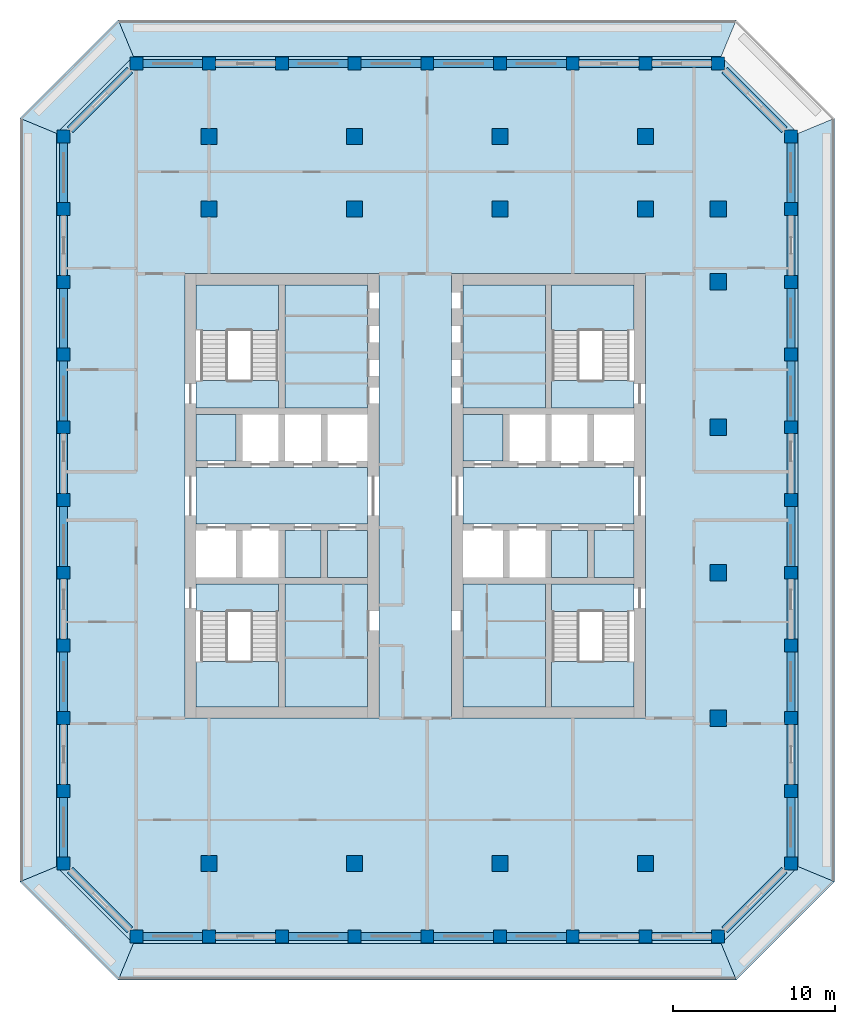
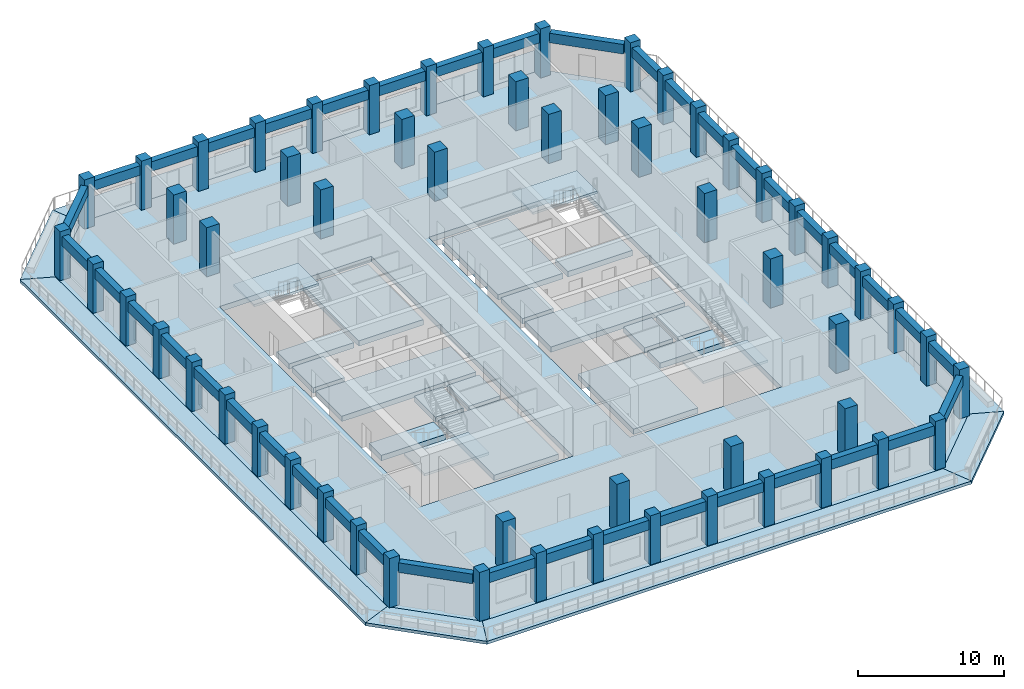
# One storey, part 1 of 17: 57 columns, 40 beams, 28 slabs, 4 elements without a shape of their own.
"""IFC4 building model written with IfcOpenShell, lengths in metres."""

from ifc_helpers import new_model, si_unit, direction, frame, origin, origin_2d, place, context, subcontext, project, spatial, polyline, rectangle, outline, extrude, material, layer, layer_set, material_profile, profile_set, type_object, element, aggregate, save


model = new_model("IFC4")

# Units and contexts
model_context = context("Model", 3, precision=1e-05, world=origin(), true_north=direction((0.0, 1.0)))
body_context = subcontext(model_context, "Body", "Model", "MODEL_VIEW")
ifc_project = project(units=[si_unit("LENGTHUNIT", "METRE"), si_unit("AREAUNIT", "SQUARE_METRE"), si_unit("VOLUMEUNIT", "CUBIC_METRE"), si_unit("PLANEANGLEUNIT", "RADIAN"), si_unit("MASSUNIT", "GRAM", prefix="KILO")], contexts=[model_context])

# Site, building, storey
site_placement = place(None, origin())
site = spatial("IfcSite", under=ifc_project, at=site_placement, CompositionType="ELEMENT")
building_placement = place(site_placement, origin())
building = spatial("IfcBuilding", under=site, at=building_placement, Name="Corbel Stack Research Tower", CompositionType="ELEMENT")
storey_placement = place(building_placement, frame((0.0, 0.0, 235.699951171875)))
storey = spatial("IfcBuildingStorey", under=building, at=storey_placement, Name="L53", CompositionType="ELEMENT", Elevation=235.699951171875)

# Columns
ifc_material_1 = material(Name="Concrete C60/75", Category="concrete")
ifc_material_profile_1 = material_profile(ifc_material_1, rectangle(XDim=1.0, YDim=1.0, at=origin_2d()), Name="RC 1000 x 1000")
ifc_profile_set_1 = profile_set([ifc_material_profile_1], Name="Concrete C60/75")
column_type_1 = type_object("IfcColumnType", Name="C-1000-60", PredefinedType="COLUMN", material=ifc_profile_set_1)
for number, where, z_axis, x_axis, name in (
    (1, (-9.0, -18.0, 0.0), (0.0, 0.0, 1.0), (1.0, 0.0, 0.0), "Column 6/D L53"),
    (2, (-9.0, 22.5, 0.0), (0.0, 0.0, 1.0), (1.0, 0.0, 0.0), "Column 6/N L53"),
    (3, (-9.0, 27.0, 0.0), (0.0, 0.0, 1.0), (1.0, 0.0, 0.0), "Column 6/P L53"),
    (4, (0.0, -18.0, 0.0), (0.0, 0.0, 1.0), (1.0, 0.0, 0.0), "Column 8/D L53"),
    (5, (0.0, 22.5, 0.0), (0.0, 0.0, 1.0), (1.0, 0.0, 0.0), "Column 8/N L53"),
    (6, (0.0, 27.0, 0.0), (0.0, 0.0, 1.0), (1.0, 0.0, 0.0), "Column 8/P L53"),
    (7, (9.0, -18.0, 0.0), (0.0, 0.0, 1.0), (1.0, 0.0, 0.0), "Column 10/D L53"),
    (8, (9.0, 22.5, 0.0), (0.0, 0.0, 1.0), (1.0, 0.0, 0.0), "Column 10/N L53"),
    (9, (9.0, 27.0, 0.0), (0.0, 0.0, 1.0), (1.0, 0.0, 0.0), "Column 10/P L53"),
    (10, (18.0, -18.0, 0.0), (0.0, 0.0, 1.0), (1.0, 0.0, 0.0), "Column 12/D L53"),
    (11, (18.0, 22.5, 0.0), (0.0, 0.0, 1.0), (1.0, 0.0, 0.0), "Column 12/N L53"),
    (12, (18.0, 27.0, 0.0), (0.0, 0.0, 1.0), (1.0, 0.0, 0.0), "Column 12/P L53"),
    (13, (22.5, -9.0, 0.0), (0.0, 0.0, 1.0), (1.0, 0.0, 0.0), "Column 13/F L53"),
    (14, (22.5, 0.0, 0.0), (0.0, 0.0, 1.0), (1.0, 0.0, 0.0), "Column 13/H L53"),
    (15, (22.5, 9.0, 0.0), (0.0, 0.0, 1.0), (1.0, 0.0, 0.0), "Column 13/K L53"),
    (16, (22.5, 18.0, 0.0), (0.0, 0.0, 1.0), (1.0, 0.0, 0.0), "Column 13/M L53"),
    (17, (22.5, 22.5, 0.0), (0.0, 0.0, 1.0), (1.0, 0.0, 0.0), "Column 13/N L53"),
):
    element("IfcColumn", number, at=place(storey_placement, frame(where, z_axis=z_axis, x_axis=x_axis)), inside=storey, type_object=column_type_1, Name=name, PredefinedType="COLUMN", context=body_context, shape_type="SweptSolid", body=[
        extrude(rectangle(XDim=1.0, YDim=1.0, at=origin_2d()), origin(), (0.0, 0.0, 1.0), 4.10009765625),
    ])
ifc_material_2 = material(Name="Concrete C60/75", Category="concrete")
ifc_material_profile_2 = material_profile(ifc_material_2, rectangle(XDim=0.800048828125, YDim=0.800048828125, at=origin_2d()), Name="RC 800 x 800")
ifc_profile_set_2 = profile_set([ifc_material_profile_2], Name="Concrete C60/75")
column_type_2 = type_object("IfcColumnType", Name="C-800-60", PredefinedType="COLUMN", material=ifc_profile_set_2)
for number, where, z_axis, x_axis, name in (
    (18, (-18.0, -18.0, 0.0), (0.0, 0.0, 1.0), (1.0, 0.0, 0.0), "Column 4/D L53"),
    (19, (-18.0, -13.5, 0.0), (0.0, 0.0, 1.0), (1.0, 0.0, 0.0), "Column 4/E L53"),
    (20, (-18.0, -9.0, 0.0), (0.0, 0.0, 1.0), (1.0, 0.0, 0.0), "Column 4/F L53"),
    (21, (-18.0, -4.5, 0.0), (0.0, 0.0, 1.0), (1.0, 0.0, 0.0), "Column 4/G L53"),
    (22, (-18.0, 0.0, 0.0), (0.0, 0.0, 1.0), (1.0, 0.0, 0.0), "Column 4/H L53"),
    (23, (-18.0, 4.5, 0.0), (0.0, 0.0, 1.0), (1.0, 0.0, 0.0), "Column 4/J L53"),
    (24, (-18.0, 9.0, 0.0), (0.0, 0.0, 1.0), (1.0, 0.0, 0.0), "Column 4/K L53"),
    (25, (-18.0, 13.5, 0.0), (0.0, 0.0, 1.0), (1.0, 0.0, 0.0), "Column 4/L L53"),
    (26, (-18.0, 18.0, 0.0), (0.0, 0.0, 1.0), (1.0, 0.0, 0.0), "Column 4/M L53"),
    (27, (-18.0, 22.5, 0.0), (0.0, 0.0, 1.0), (1.0, 0.0, 0.0), "Column 4/N L53"),
    (28, (-18.0, 27.0, 0.0), (0.0, 0.0, 1.0), (1.0, 0.0, 0.0), "Column 4/P L53"),
    (29, (-13.5, -22.5, 0.0), (0.0, 0.0, 1.0), (1.0, 0.0, 0.0), "Column 5/C L53"),
    (30, (-13.5, 31.5, 0.0), (0.0, 0.0, 1.0), (1.0, 0.0, 0.0), "Column 5/Q L53"),
    (31, (-9.0, -22.5, 0.0), (0.0, 0.0, 1.0), (1.0, 0.0, 0.0), "Column 6/C L53"),
    (32, (-9.0, 31.5, 0.0), (0.0, 0.0, 1.0), (1.0, 0.0, 0.0), "Column 6/Q L53"),
    (33, (-4.5, -22.5, 0.0), (0.0, 0.0, 1.0), (1.0, 0.0, 0.0), "Column 7/C L53"),
    (34, (-4.5, 31.5, 0.0), (0.0, 0.0, 1.0), (1.0, 0.0, 0.0), "Column 7/Q L53"),
    (35, (0.0, -22.5, 0.0), (0.0, 0.0, 1.0), (1.0, 0.0, 0.0), "Column 8/C L53"),
    (36, (0.0, 31.5, 0.0), (0.0, 0.0, 1.0), (1.0, 0.0, 0.0), "Column 8/Q L53"),
    (37, (4.5, -22.5, 0.0), (0.0, 0.0, 1.0), (1.0, 0.0, 0.0), "Column 9/C L53"),
    (38, (4.5, 31.5, 0.0), (0.0, 0.0, 1.0), (1.0, 0.0, 0.0), "Column 9/Q L53"),
    (39, (9.0, -22.5, 0.0), (0.0, 0.0, 1.0), (1.0, 0.0, 0.0), "Column 10/C L53"),
    (40, (9.0, 31.5, 0.0), (0.0, 0.0, 1.0), (1.0, 0.0, 0.0), "Column 10/Q L53"),
    (41, (13.5, -22.5, 0.0), (0.0, 0.0, 1.0), (1.0, 0.0, 0.0), "Column 11/C L53"),
    (42, (13.5, 31.5, 0.0), (0.0, 0.0, 1.0), (1.0, 0.0, 0.0), "Column 11/Q L53"),
    (43, (18.0, -22.5, 0.0), (0.0, 0.0, 1.0), (1.0, 0.0, 0.0), "Column 12/C L53"),
    (44, (18.0, 31.5, 0.0), (0.0, 0.0, 1.0), (1.0, 0.0, 0.0), "Column 12/Q L53"),
    (45, (22.5, -22.5, 0.0), (0.0, 0.0, 1.0), (1.0, 0.0, 0.0), "Column 13/C L53"),
    (46, (22.5, 31.5, 0.0), (0.0, 0.0, 1.0), (1.0, 0.0, 0.0), "Column 13/Q L53"),
    (47, (27.0, -18.0, 0.0), (0.0, 0.0, 1.0), (1.0, 0.0, 0.0), "Column 14/D L53"),
    (48, (27.0, -13.5, 0.0), (0.0, 0.0, 1.0), (1.0, 0.0, 0.0), "Column 14/E L53"),
    (49, (27.0, -9.0, 0.0), (0.0, 0.0, 1.0), (1.0, 0.0, 0.0), "Column 14/F L53"),
    (50, (27.0, -4.5, 0.0), (0.0, 0.0, 1.0), (1.0, 0.0, 0.0), "Column 14/G L53"),
    (51, (27.0, 0.0, 0.0), (0.0, 0.0, 1.0), (1.0, 0.0, 0.0), "Column 14/H L53"),
    (52, (27.0, 4.5, 0.0), (0.0, 0.0, 1.0), (1.0, 0.0, 0.0), "Column 14/J L53"),
    (53, (27.0, 9.0, 0.0), (0.0, 0.0, 1.0), (1.0, 0.0, 0.0), "Column 14/K L53"),
    (54, (27.0, 13.5, 0.0), (0.0, 0.0, 1.0), (1.0, 0.0, 0.0), "Column 14/L L53"),
    (55, (27.0, 18.0, 0.0), (0.0, 0.0, 1.0), (1.0, 0.0, 0.0), "Column 14/M L53"),
    (56, (27.0, 22.5, 0.0), (0.0, 0.0, 1.0), (1.0, 0.0, 0.0), "Column 14/N L53"),
    (57, (27.0, 27.0, 0.0), (0.0, 0.0, 1.0), (1.0, 0.0, 0.0), "Column 14/P L53"),
):
    element("IfcColumn", number, at=place(storey_placement, frame(where, z_axis=z_axis, x_axis=x_axis)), inside=storey, type_object=column_type_2, Name=name, PredefinedType="COLUMN", context=body_context, shape_type="SweptSolid", body=[
        extrude(rectangle(XDim=0.800048828125, YDim=0.800048828125, at=origin_2d()), origin(), (0.0, 0.0, 1.0), 4.10009765625),
    ])

# Beams
ifc_material_3 = material(Name="Concrete C60/75", Category="concrete")
ifc_material_profile_3 = material_profile(ifc_material_3, rectangle(XDim=0.5, YDim=0.800048828125, at=origin_2d()), Name="RC 500 x 800")
ifc_profile_set_3 = profile_set([ifc_material_profile_3], Name="Concrete C60/75")
beam_type = type_object("IfcBeamType", Name="SB-500-800-450", PredefinedType="SPANDREL", material=ifc_profile_set_3)
for number, where, z_axis, x_axis, name in (
    (58, (-13.10009765625, -22.5, 3.25), (1.0, 0.0, 0.0), (0.0, 1.0, 0.0), "Spandrel beam L53-01"),
    (59, (-8.60009765625, -22.5, 3.25), (1.0, 0.0, 0.0), (0.0, 1.0, 0.0), "Spandrel beam L53-02"),
    (60, (-4.10009765625, -22.5, 3.25), (1.0, 0.0, 0.0), (0.0, 1.0, 0.0), "Spandrel beam L53-03"),
    (61, (0.39990234375, -22.5, 3.25), (1.0, 0.0, 0.0), (0.0, 1.0, 0.0), "Spandrel beam L53-04"),
    (62, (4.89990234375, -22.5, 3.25), (1.0, 0.0, 0.0), (0.0, 1.0, 0.0), "Spandrel beam L53-05"),
    (63, (9.39990234375, -22.5, 3.25), (1.0, 0.0, 0.0), (0.0, 1.0, 0.0), "Spandrel beam L53-06"),
    (64, (13.89990234375, -22.5, 3.25), (1.0, 0.0, 0.0), (0.0, 1.0, 0.0), "Spandrel beam L53-07"),
    (65, (18.39990234375, -22.5, 3.25), (1.0, 0.0, 0.0), (0.0, 1.0, 0.0), "Spandrel beam L53-08"),
):
    element("IfcBeam", number, at=place(storey_placement, frame(where, z_axis=z_axis, x_axis=x_axis)), inside=storey, type_object=beam_type, Name=name, PredefinedType="SPANDREL", context=body_context, shape_type="SweptSolid", body=[
        extrude(rectangle(XDim=0.5, YDim=0.800048828125, at=origin_2d()), origin(), (0.0, 0.0, 1.0), 3.7001953125),
    ])
beam_1_placement = place(storey_placement, frame((22.89990234375, -22.10009765625, 3.25), z_axis=(0.707106781187, 0.707106781187, 0.0), x_axis=(-0.707106781187, 0.707106781187, 0.0)))
element("IfcBeam", 66, at=beam_1_placement, inside=storey, type_object=beam_type, Name="Spandrel beam L53-09", PredefinedType="SPANDREL", context=body_context, shape_type="SweptSolid", body=[
    extrude(rectangle(XDim=0.5, YDim=0.800048828125, at=origin_2d()), origin(), (0.0, 0.0, 1.0), 5.23291015625),
])
for number, where, z_axis, x_axis, name in (
    (67, (27.0, -17.60009765625, 3.25), (0.0, 1.0, 0.0), (-1.0, 0.0, 0.0), "Spandrel beam L53-10"),
    (68, (27.0, -13.10009765625, 3.25), (0.0, 1.0, 0.0), (-1.0, 0.0, 0.0), "Spandrel beam L53-11"),
    (69, (27.0, -8.60009765625, 3.25), (0.0, 1.0, 0.0), (-1.0, 0.0, 0.0), "Spandrel beam L53-12"),
    (70, (27.0, -4.10009765625, 3.25), (0.0, 1.0, 0.0), (-1.0, 0.0, 0.0), "Spandrel beam L53-13"),
    (71, (27.0, 0.39990234375, 3.25), (0.0, 1.0, 0.0), (-1.0, 0.0, 0.0), "Spandrel beam L53-14"),
    (72, (27.0, 4.89990234375, 3.25), (0.0, 1.0, 0.0), (-1.0, 0.0, 0.0), "Spandrel beam L53-15"),
    (73, (27.0, 9.39990234375, 3.25), (0.0, 1.0, 0.0), (-1.0, 0.0, 0.0), "Spandrel beam L53-16"),
    (74, (27.0, 13.89990234375, 3.25), (0.0, 1.0, 0.0), (-1.0, 0.0, 0.0), "Spandrel beam L53-17"),
    (75, (27.0, 18.39990234375, 3.25), (0.0, 1.0, 0.0), (-1.0, 0.0, 0.0), "Spandrel beam L53-18"),
    (76, (27.0, 22.89990234375, 3.25), (0.0, 1.0, 0.0), (-1.0, 0.0, 0.0), "Spandrel beam L53-19"),
):
    element("IfcBeam", number, at=place(storey_placement, frame(where, z_axis=z_axis, x_axis=x_axis)), inside=storey, type_object=beam_type, Name=name, PredefinedType="SPANDREL", context=body_context, shape_type="SweptSolid", body=[
        extrude(rectangle(XDim=0.5, YDim=0.800048828125, at=origin_2d()), origin(), (0.0, 0.0, 1.0), 3.7001953125),
    ])
beam_2_placement = place(storey_placement, frame((26.60009765625, 27.39990234375, 3.25), z_axis=(-0.707106781187, 0.707106781187, 0.0), x_axis=(-0.707106781187, -0.707106781187, 0.0)))
element("IfcBeam", 77, at=beam_2_placement, inside=storey, type_object=beam_type, Name="Spandrel beam L53-20", PredefinedType="SPANDREL", context=body_context, shape_type="SweptSolid", body=[
    extrude(rectangle(XDim=0.5, YDim=0.800048828125, at=origin_2d()), origin(), (0.0, 0.0, 1.0), 5.23291015625),
])
for number, where, z_axis, x_axis, name in (
    (78, (22.10009765625, 31.5, 3.25), (-1.0, 0.0, 0.0), (0.0, -1.0, 0.0), "Spandrel beam L53-21"),
    (79, (17.60009765625, 31.5, 3.25), (-1.0, 0.0, 0.0), (0.0, -1.0, 0.0), "Spandrel beam L53-22"),
    (80, (13.10009765625, 31.5, 3.25), (-1.0, 0.0, 0.0), (0.0, -1.0, 0.0), "Spandrel beam L53-23"),
    (81, (8.60009765625, 31.5, 3.25), (-1.0, 0.0, 0.0), (0.0, -1.0, 0.0), "Spandrel beam L53-24"),
    (82, (4.10009765625, 31.5, 3.25), (-1.0, 0.0, 0.0), (0.0, -1.0, 0.0), "Spandrel beam L53-25"),
    (83, (-0.39990234375, 31.5, 3.25), (-1.0, 0.0, 0.0), (0.0, -1.0, 0.0), "Spandrel beam L53-26"),
    (84, (-4.89990234375, 31.5, 3.25), (-1.0, 0.0, 0.0), (0.0, -1.0, 0.0), "Spandrel beam L53-27"),
    (85, (-9.39990234375, 31.5, 3.25), (-1.0, 0.0, 0.0), (0.0, -1.0, 0.0), "Spandrel beam L53-28"),
):
    element("IfcBeam", number, at=place(storey_placement, frame(where, z_axis=z_axis, x_axis=x_axis)), inside=storey, type_object=beam_type, Name=name, PredefinedType="SPANDREL", context=body_context, shape_type="SweptSolid", body=[
        extrude(rectangle(XDim=0.5, YDim=0.800048828125, at=origin_2d()), origin(), (0.0, 0.0, 1.0), 3.7001953125),
    ])
beam_3_placement = place(storey_placement, frame((-13.89990234375, 31.10009765625, 3.25), z_axis=(-0.707106781187, -0.707106781187, 0.0), x_axis=(0.707106781187, -0.707106781187, 0.0)))
element("IfcBeam", 86, at=beam_3_placement, inside=storey, type_object=beam_type, Name="Spandrel beam L53-29", PredefinedType="SPANDREL", context=body_context, shape_type="SweptSolid", body=[
    extrude(rectangle(XDim=0.5, YDim=0.800048828125, at=origin_2d()), origin(), (0.0, 0.0, 1.0), 5.23291015625),
])
for number, where, z_axis, x_axis, name in (
    (87, (-18.0, 26.60009765625, 3.25), (0.0, -1.0, 0.0), (1.0, 0.0, 0.0), "Spandrel beam L53-30"),
    (88, (-18.0, 22.10009765625, 3.25), (0.0, -1.0, 0.0), (1.0, 0.0, 0.0), "Spandrel beam L53-31"),
    (89, (-18.0, 17.60009765625, 3.25), (0.0, -1.0, 0.0), (1.0, 0.0, 0.0), "Spandrel beam L53-32"),
    (90, (-18.0, 13.10009765625, 3.25), (0.0, -1.0, 0.0), (1.0, 0.0, 0.0), "Spandrel beam L53-33"),
    (91, (-18.0, 8.60009765625, 3.25), (0.0, -1.0, 0.0), (1.0, 0.0, 0.0), "Spandrel beam L53-34"),
    (92, (-18.0, 4.10009765625, 3.25), (0.0, -1.0, 0.0), (1.0, 0.0, 0.0), "Spandrel beam L53-35"),
    (93, (-18.0, -0.39990234375, 3.25), (0.0, -1.0, 0.0), (1.0, 0.0, 0.0), "Spandrel beam L53-36"),
    (94, (-18.0, -4.89990234375, 3.25), (0.0, -1.0, 0.0), (1.0, 0.0, 0.0), "Spandrel beam L53-37"),
    (95, (-18.0, -9.39990234375, 3.25), (0.0, -1.0, 0.0), (1.0, 0.0, 0.0), "Spandrel beam L53-38"),
    (96, (-18.0, -13.89990234375, 3.25), (0.0, -1.0, 0.0), (1.0, 0.0, 0.0), "Spandrel beam L53-39"),
):
    element("IfcBeam", number, at=place(storey_placement, frame(where, z_axis=z_axis, x_axis=x_axis)), inside=storey, type_object=beam_type, Name=name, PredefinedType="SPANDREL", context=body_context, shape_type="SweptSolid", body=[
        extrude(rectangle(XDim=0.5, YDim=0.800048828125, at=origin_2d()), origin(), (0.0, 0.0, 1.0), 3.7001953125),
    ])
beam_4_placement = place(storey_placement, frame((-17.60009765625, -18.39990234375, 3.25), z_axis=(0.707106781187, -0.707106781187, 0.0), x_axis=(0.707106781187, 0.707106781187, 0.0)))
element("IfcBeam", 97, at=beam_4_placement, inside=storey, type_object=beam_type, Name="Spandrel beam L53-40", PredefinedType="SPANDREL", context=body_context, shape_type="SweptSolid", body=[
    extrude(rectangle(XDim=0.5, YDim=0.800048828125, at=origin_2d()), origin(), (0.0, 0.0, 1.0), 5.23291015625),
])

# Slabs
ifc_material_4 = material(Name="Concrete C45/55", Category="concrete")
ifc_layer_1 = layer(ifc_material_4, 0.25)
ifc_layer_set_1 = layer_set([ifc_layer_1], Name="Concrete C45/55")
slab_type_1 = type_object("IfcSlabType", Name="PT balcony slab 250 C45/55", PredefinedType="FLOOR", material=ifc_layer_set_1)
slab_1_placement = place(storey_placement, frame((0.0, 0.0, -0.25)))
element("IfcSlab", 98, at=slab_1_placement, inside=storey, type_object=slab_type_1, Name="Loggia slab L53 S", PredefinedType="FLOOR", context=body_context, shape_type="SweptSolid", body=[
    extrude(outline(polyline([(22.686279296875, -22.949951171875), (-13.686279296875, -22.949951171875), (-14.618408203125, -25.199951171875), (23.618408203125, -25.199951171875), (22.686279296875, -22.949951171875)])), origin(), (0.0, 0.0, 1.0), 0.25),
])
slab_2_placement = place(storey_placement, frame((0.0, 0.0, -0.25)))
element("IfcSlab", 99, at=slab_2_placement, inside=storey, type_object=slab_type_1, Name="Loggia slab L53 SE", PredefinedType="FLOOR", context=body_context, shape_type="SweptSolid", body=[
    extrude(outline(polyline([(27.449951171875, -18.186279296875), (27.39990234375, -18.236328125), (27.39990234375, -18.39990234375), (27.236328125, -18.39990234375), (22.89990234375, -22.736328125), (22.89990234375, -22.89990234375), (22.736328125, -22.89990234375), (22.686279296875, -22.949951171875), (23.618408203125, -25.199951171875), (29.699951171875, -19.118408203125), (27.449951171875, -18.186279296875)])), origin(), (0.0, 0.0, 1.0), 0.25),
])
slab_3_placement = place(storey_placement, frame((0.0, 0.0, -0.25)))
element("IfcSlab", 100, at=slab_3_placement, inside=storey, type_object=slab_type_1, Name="Loggia slab L53 E", PredefinedType="FLOOR", context=body_context, shape_type="SweptSolid", body=[
    extrude(outline(polyline([(27.449951171875, 27.186279296875), (27.449951171875, -18.186279296875), (29.699951171875, -19.118408203125), (29.699951171875, 28.118408203125), (27.449951171875, 27.186279296875)])), origin(), (0.0, 0.0, 1.0), 0.25),
])
slab_4_placement = place(storey_placement, frame((0.0, 0.0, -0.25)))
element("IfcSlab", 101, at=slab_4_placement, inside=storey, type_object=slab_type_1, Name="Loggia slab L53 N", PredefinedType="FLOOR", context=body_context, shape_type="SweptSolid", body=[
    extrude(outline(polyline([(-13.686279296875, 31.949951171875), (22.686279296875, 31.949951171875), (23.618408203125, 34.199951171875), (-14.618408203125, 34.199951171875), (-13.686279296875, 31.949951171875)])), origin(), (0.0, 0.0, 1.0), 0.25),
])
slab_5_placement = place(storey_placement, frame((0.0, 0.0, -0.25)))
element("IfcSlab", 102, at=slab_5_placement, inside=storey, type_object=slab_type_1, Name="Loggia slab L53 NW", PredefinedType="FLOOR", context=body_context, shape_type="SweptSolid", body=[
    extrude(outline(polyline([(-18.449951171875, 27.186279296875), (-18.39990234375, 27.236328125), (-18.39990234375, 27.39990234375), (-18.236328125, 27.39990234375), (-13.89990234375, 31.736328125), (-13.89990234375, 31.89990234375), (-13.736328125, 31.89990234375), (-13.686279296875, 31.949951171875), (-14.618408203125, 34.199951171875), (-20.699951171875, 28.118408203125), (-18.449951171875, 27.186279296875)])), origin(), (0.0, 0.0, 1.0), 0.25),
])
slab_6_placement = place(storey_placement, frame((0.0, 0.0, -0.25)))
element("IfcSlab", 103, at=slab_6_placement, inside=storey, type_object=slab_type_1, Name="Loggia slab L53 W", PredefinedType="FLOOR", context=body_context, shape_type="SweptSolid", body=[
    extrude(outline(polyline([(-18.449951171875, -18.186279296875), (-18.449951171875, 27.186279296875), (-20.699951171875, 28.118408203125), (-20.699951171875, -19.118408203125), (-18.449951171875, -18.186279296875)])), origin(), (0.0, 0.0, 1.0), 0.25),
])
slab_7_placement = place(storey_placement, frame((0.0, 0.0, -0.25)))
element("IfcSlab", 104, at=slab_7_placement, inside=storey, type_object=slab_type_1, Name="Loggia slab L53 SW", PredefinedType="FLOOR", context=body_context, shape_type="SweptSolid", body=[
    extrude(outline(polyline([(-13.686279296875, -22.949951171875), (-13.736328125, -22.89990234375), (-13.89990234375, -22.89990234375), (-13.89990234375, -22.736328125), (-18.236328125, -18.39990234375), (-18.39990234375, -18.39990234375), (-18.39990234375, -18.236328125), (-18.449951171875, -18.186279296875), (-20.699951171875, -19.118408203125), (-14.618408203125, -25.199951171875), (-13.686279296875, -22.949951171875)])), origin(), (0.0, 0.0, 1.0), 0.25),
])
ifc_material_5 = material(Name="Concrete C45/55", Category="concrete")
ifc_layer_2 = layer(ifc_material_5, 0.449951171875)
ifc_layer_set_2 = layer_set([ifc_layer_2], Name="Concrete C45/55")
slab_type_2 = type_object("IfcSlabType", Name="PT-450", PredefinedType="FLOOR", material=ifc_layer_set_2)
slab_8_placement = place(storey_placement, frame((0.0, 0.0, -0.449951171875)))
element("IfcSlab", 105, at=slab_8_placement, inside=storey, type_object=slab_type_2, Name="Floor slab L53", PredefinedType="FLOOR", context=body_context, shape_type="SweptSolid", body=[
    extrude(outline(polyline([(-13.686279296875, -22.949951171875), (22.686279296875, -22.949951171875), (27.449951171875, -18.186279296875), (27.449951171875, 27.186279296875), (22.686279296875, 31.949951171875), (-13.686279296875, 31.949951171875), (-18.449951171875, 27.186279296875), (-18.449951171875, -18.186279296875), (-13.686279296875, -22.949951171875)]), holes=[polyline([(22.0, 22.0), (22.0, 23.0), (23.0, 23.0), (23.0, 22.0), (22.0, 22.0)]), polyline([(23.0, 17.5), (22.0, 17.5), (22.0, 18.5), (23.0, 18.5), (23.0, 17.5)]), polyline([(23.0, 8.5), (22.0, 8.5), (22.0, 9.5), (23.0, 9.5), (23.0, 8.5)]), polyline([(22.0, -0.5), (22.0, 0.5), (23.0, 0.5), (23.0, -0.5), (22.0, -0.5)]), polyline([(23.0, -9.5), (22.0, -9.5), (22.0, -8.5), (23.0, -8.5), (23.0, -9.5)]), polyline([(17.5, 26.5), (17.5, 27.5), (18.5, 27.5), (18.5, 26.5), (17.5, 26.5)]), polyline([(18.5, 22.0), (17.5, 22.0), (17.5, 23.0), (18.5, 23.0), (18.5, 22.0)]), polyline([(18.5, -18.5), (17.5, -18.5), (17.5, -17.5), (18.5, -17.5), (18.5, -18.5)]), polyline([(6.0, -9.0), (6.0, 18.5), (18.0, 18.5), (18.0, -9.0), (6.0, -9.0)]), polyline([(9.5, 26.5), (8.5, 26.5), (8.5, 27.5), (9.5, 27.5), (9.5, 26.5)]), polyline([(9.5, 22.0), (8.5, 22.0), (8.5, 23.0), (9.5, 23.0), (9.5, 22.0)]), polyline([(9.5, -18.5), (8.5, -18.5), (8.5, -17.5), (9.5, -17.5), (9.5, -18.5)]), polyline([(1.5, -9.0), (-10.5, -9.0), (-10.5, 18.5), (1.5, 18.5), (1.5, -9.0)]), polyline([(-0.5, 26.5), (-0.5, 27.5), (0.5, 27.5), (0.5, 26.5), (-0.5, 26.5)]), polyline([(0.5, 22.0), (-0.5, 22.0), (-0.5, 23.0), (0.5, 23.0), (0.5, 22.0)]), polyline([(0.5, -18.5), (-0.5, -18.5), (-0.5, -17.5), (0.5, -17.5), (0.5, -18.5)]), polyline([(-9.5, 26.5), (-9.5, 27.5), (-8.5, 27.5), (-8.5, 26.5), (-9.5, 26.5)]), polyline([(-8.5, 22.0), (-9.5, 22.0), (-9.5, 23.0), (-8.5, 23.0), (-8.5, 22.0)]), polyline([(-8.5, -18.5), (-9.5, -18.5), (-9.5, -17.5), (-8.5, -17.5), (-8.5, -18.5)])]), origin(), (0.0, 0.0, 1.0), 0.449951171875),
])
slab_9_placement = place(storey_placement, frame((0.0, 0.0, -0.449951171875)))
element("IfcSlab", 106, at=slab_9_placement, inside=storey, type_object=slab_type_2, Name="West core floor L53", PredefinedType="FLOOR", context=body_context, shape_type="SweptSolid", body=[
    extrude(outline(polyline([(-9.800048828125, 6.5), (-9.800048828125, 3.0), (0.800048828125, 3.0), (0.800048828125, 6.5), (-9.800048828125, 6.5)])), origin(), (0.0, 0.0, 1.0), 0.449951171875),
])
slab_10_placement = place(storey_placement, frame((0.0, 0.0, -0.449951171875)))
element("IfcSlab", 107, at=slab_10_placement, inside=storey, type_object=slab_type_2, Name="West core floor L53", PredefinedType="FLOOR", context=body_context, shape_type="SweptSolid", body=[
    extrude(outline(polyline([(-9.800048828125, 6.89990234375), (-7.324951171875, 6.89990234375), (-7.324951171875, 9.800048828125), (-9.800048828125, 9.800048828125), (-9.800048828125, 6.89990234375)])), origin(), (0.0, 0.0, 1.0), 0.449951171875),
])
slab_11_placement = place(storey_placement, frame((0.0, 0.0, -0.449951171875)))
element("IfcSlab", 108, at=slab_11_placement, inside=storey, type_object=slab_type_2, Name="West core floor L53", PredefinedType="FLOOR", context=body_context, shape_type="SweptSolid", body=[
    extrude(outline(polyline([(-4.300048828125, -0.699951171875), (-4.300048828125, -8.300048828125), (0.800048828125, -8.300048828125), (0.800048828125, -0.699951171875), (-4.300048828125, -0.699951171875)])), origin(), (0.0, 0.0, 1.0), 0.449951171875),
])
slab_12_placement = place(storey_placement, frame((0.0, 0.0, -0.449951171875)))
element("IfcSlab", 109, at=slab_12_placement, inside=storey, type_object=slab_type_2, Name="West core floor L53", PredefinedType="FLOOR", context=body_context, shape_type="SweptSolid", body=[
    extrude(outline(polyline([(-4.300048828125, 2.60009765625), (-4.300048828125, -0.300048828125), (-2.074951171875, -0.300048828125), (-2.074951171875, 2.60009765625), (-4.300048828125, 2.60009765625)])), origin(), (0.0, 0.0, 1.0), 0.449951171875),
])
slab_13_placement = place(storey_placement, frame((0.0, 0.0, -0.449951171875)))
element("IfcSlab", 110, at=slab_13_placement, inside=storey, type_object=slab_type_2, Name="West core floor L53", PredefinedType="FLOOR", context=body_context, shape_type="SweptSolid", body=[
    extrude(outline(polyline([(-4.300048828125, 17.800048828125), (-4.300048828125, 10.199951171875), (0.800048828125, 10.199951171875), (0.800048828125, 17.800048828125), (-4.300048828125, 17.800048828125)])), origin(), (0.0, 0.0, 1.0), 0.449951171875),
])
slab_14_placement = place(storey_placement, frame((0.0, 0.0, -0.449951171875)))
element("IfcSlab", 111, at=slab_14_placement, inside=storey, type_object=slab_type_2, Name="West core floor L53", PredefinedType="FLOOR", context=body_context, shape_type="SweptSolid", body=[
    extrude(outline(polyline([(-1.675048828125, 2.60009765625), (-1.675048828125, -0.300048828125), (0.800048828125, -0.300048828125), (0.800048828125, 2.60009765625), (-1.675048828125, 2.60009765625)])), origin(), (0.0, 0.0, 1.0), 0.449951171875),
])
slab_15_placement = place(storey_placement, frame((0.0, 0.0, -0.449951171875)))
element("IfcSlab", 112, at=slab_15_placement, inside=storey, type_object=slab_type_2, Name="East core floor L53", PredefinedType="FLOOR", context=body_context, shape_type="SweptSolid", body=[
    extrude(outline(polyline([(6.699951171875, -8.300048828125), (11.800048828125, -8.300048828125), (11.800048828125, -0.699951171875), (6.699951171875, -0.699951171875), (6.699951171875, -8.300048828125)])), origin(), (0.0, 0.0, 1.0), 0.449951171875),
])
slab_16_placement = place(storey_placement, frame((0.0, 0.0, -0.449951171875)))
element("IfcSlab", 113, at=slab_16_placement, inside=storey, type_object=slab_type_2, Name="East core floor L53", PredefinedType="FLOOR", context=body_context, shape_type="SweptSolid", body=[
    extrude(outline(polyline([(6.699951171875, 3.0), (17.300048828125, 3.0), (17.300048828125, 6.5), (6.699951171875, 6.5), (6.699951171875, 3.0)])), origin(), (0.0, 0.0, 1.0), 0.449951171875),
])
slab_17_placement = place(storey_placement, frame((0.0, 0.0, -0.449951171875)))
element("IfcSlab", 114, at=slab_17_placement, inside=storey, type_object=slab_type_2, Name="East core floor L53", PredefinedType="FLOOR", context=body_context, shape_type="SweptSolid", body=[
    extrude(outline(polyline([(6.699951171875, 6.89990234375), (9.175048828125, 6.89990234375), (9.175048828125, 9.800048828125), (6.699951171875, 9.800048828125), (6.699951171875, 6.89990234375)])), origin(), (0.0, 0.0, 1.0), 0.449951171875),
])
slab_18_placement = place(storey_placement, frame((0.0, 0.0, -0.449951171875)))
element("IfcSlab", 115, at=slab_18_placement, inside=storey, type_object=slab_type_2, Name="East core floor L53", PredefinedType="FLOOR", context=body_context, shape_type="SweptSolid", body=[
    extrude(outline(polyline([(6.699951171875, 10.199951171875), (11.800048828125, 10.199951171875), (11.800048828125, 17.800048828125), (6.699951171875, 17.800048828125), (6.699951171875, 10.199951171875)])), origin(), (0.0, 0.0, 1.0), 0.449951171875),
])
slab_19_placement = place(storey_placement, frame((0.0, 0.0, -0.449951171875)))
element("IfcSlab", 116, at=slab_19_placement, inside=storey, type_object=slab_type_2, Name="East core floor L53", PredefinedType="FLOOR", context=body_context, shape_type="SweptSolid", body=[
    extrude(outline(polyline([(12.199951171875, 2.60009765625), (12.199951171875, -0.300048828125), (14.425048828125, -0.300048828125), (14.425048828125, 2.60009765625), (12.199951171875, 2.60009765625)])), origin(), (0.0, 0.0, 1.0), 0.449951171875),
])
slab_20_placement = place(storey_placement, frame((0.0, 0.0, -0.449951171875)))
element("IfcSlab", 117, at=slab_20_placement, inside=storey, type_object=slab_type_2, Name="East core floor L53", PredefinedType="FLOOR", context=body_context, shape_type="SweptSolid", body=[
    extrude(outline(polyline([(14.824951171875, 2.60009765625), (14.824951171875, -0.300048828125), (17.300048828125, -0.300048828125), (17.300048828125, 2.60009765625), (14.824951171875, 2.60009765625)])), origin(), (0.0, 0.0, 1.0), 0.449951171875),
])
slab_21_placement = place(storey_placement, frame((0.0, 0.0, -0.449951171875)))
element("IfcSlab", 118, at=slab_21_placement, inside=storey, type_object=slab_type_2, Name="Stair floor landing ST-W1", PredefinedType="FLOOR", context=body_context, shape_type="SweptSolid", body=[
    extrude(outline(polyline([(-9.800048828125, -2.39990234375), (-4.699951171875, -2.39990234375), (-4.699951171875, -0.699951171875), (-9.800048828125, -0.699951171875), (-9.800048828125, -2.39990234375)])), origin(), (0.0, 0.0, 1.0), 0.449951171875),
])
slab_22_placement = place(storey_placement, frame((0.0, 0.0, -0.449951171875)))
element("IfcSlab", 119, at=slab_22_placement, inside=storey, type_object=slab_type_2, Name="Stair floor landing ST-W2", PredefinedType="FLOOR", context=body_context, shape_type="SweptSolid", body=[
    extrude(outline(polyline([(-9.800048828125, 10.199951171875), (-4.699951171875, 10.199951171875), (-4.699951171875, 11.89990234375), (-9.800048828125, 11.89990234375), (-9.800048828125, 10.199951171875)])), origin(), (0.0, 0.0, 1.0), 0.449951171875),
])
slab_23_placement = place(storey_placement, frame((0.0, 0.0, -0.449951171875)))
element("IfcSlab", 120, at=slab_23_placement, inside=storey, type_object=slab_type_2, Name="Stair floor landing ST-E1", PredefinedType="FLOOR", context=body_context, shape_type="SweptSolid", body=[
    extrude(outline(polyline([(12.199951171875, -2.39990234375), (17.300048828125, -2.39990234375), (17.300048828125, -0.699951171875), (12.199951171875, -0.699951171875), (12.199951171875, -2.39990234375)])), origin(), (0.0, 0.0, 1.0), 0.449951171875),
])
slab_24_placement = place(storey_placement, frame((0.0, 0.0, -0.449951171875)))
element("IfcSlab", 121, at=slab_24_placement, inside=storey, type_object=slab_type_2, Name="Stair floor landing ST-E2", PredefinedType="FLOOR", context=body_context, shape_type="SweptSolid", body=[
    extrude(outline(polyline([(12.199951171875, 10.199951171875), (17.300048828125, 10.199951171875), (17.300048828125, 11.89990234375), (12.199951171875, 11.89990234375), (12.199951171875, 10.199951171875)])), origin(), (0.0, 0.0, 1.0), 0.449951171875),
])

# Stair, slab
ifc_material_6 = material(Name="Concrete C40/50", Category="concrete")
stair_type = type_object("IfcStairType", Name="Exit stair 24 risers", PredefinedType="HALF_TURN_STAIR", material=ifc_material_6)
stair_1_placement = place(storey_placement, origin())
stair_1 = element("IfcStair", 122, at=stair_1_placement, inside=storey, type_object=stair_type, Name="L53 Exit stair ST-W1", PredefinedType="HALF_TURN_STAIR")
ifc_material_7 = material(Name="Concrete C40/50", Category="concrete")
ifc_layer_3 = layer(ifc_material_7, 0.199951171875)
ifc_layer_set_3 = layer_set([ifc_layer_3], Name="Concrete C40/50")
slab_type_3 = type_object("IfcSlabType", Name="Stair landing 200 C40/50", PredefinedType="LANDING", material=ifc_layer_set_3)
slab_25_placement = place(storey_placement, frame((0.0, 0.0, 1.85009765625)))
slab_25 = element("IfcSlab", 123, at=slab_25_placement, type_object=slab_type_3, Name="ST-W1 landing 1", PredefinedType="LANDING", context=body_context, shape_type="SweptSolid", body=[
    extrude(outline(polyline([(-9.800048828125, -8.300048828125), (-9.800048828125, -5.47998046875), (-4.699951171875, -5.47998046875), (-4.699951171875, -8.300048828125), (-9.800048828125, -8.300048828125)])), origin(), (0.0, 0.0, 1.0), 0.199951171875),
])
aggregate(stair_1, [slab_25])

stair_2_placement = place(storey_placement, origin())
stair_2 = element("IfcStair", 124, at=stair_2_placement, inside=storey, type_object=stair_type, Name="L53 Exit stair ST-W2", PredefinedType="HALF_TURN_STAIR")
slab_26_placement = place(storey_placement, frame((0.0, 0.0, 1.85009765625)))
slab_26 = element("IfcSlab", 125, at=slab_26_placement, type_object=slab_type_3, Name="ST-W2 landing 1", PredefinedType="LANDING", context=body_context, shape_type="SweptSolid", body=[
    extrude(outline(polyline([(-9.800048828125, 14.97998046875), (-9.800048828125, 17.800048828125), (-4.699951171875, 17.800048828125), (-4.699951171875, 14.97998046875), (-9.800048828125, 14.97998046875)])), origin(), (0.0, 0.0, 1.0), 0.199951171875),
])
aggregate(stair_2, [slab_26])

stair_3_placement = place(storey_placement, origin())
stair_3 = element("IfcStair", 126, at=stair_3_placement, inside=storey, type_object=stair_type, Name="L53 Exit stair ST-E1", PredefinedType="HALF_TURN_STAIR")
slab_27_placement = place(storey_placement, frame((0.0, 0.0, 1.85009765625)))
slab_27 = element("IfcSlab", 127, at=slab_27_placement, type_object=slab_type_3, Name="ST-E1 landing 1", PredefinedType="LANDING", context=body_context, shape_type="SweptSolid", body=[
    extrude(outline(polyline([(12.199951171875, -8.300048828125), (12.199951171875, -5.47998046875), (17.300048828125, -5.47998046875), (17.300048828125, -8.300048828125), (12.199951171875, -8.300048828125)])), origin(), (0.0, 0.0, 1.0), 0.199951171875),
])
aggregate(stair_3, [slab_27])

stair_4_placement = place(storey_placement, origin())
stair_4 = element("IfcStair", 128, at=stair_4_placement, inside=storey, type_object=stair_type, Name="L53 Exit stair ST-E2", PredefinedType="HALF_TURN_STAIR")
slab_28_placement = place(storey_placement, frame((0.0, 0.0, 1.85009765625)))
slab_28 = element("IfcSlab", 129, at=slab_28_placement, type_object=slab_type_3, Name="ST-E2 landing 1", PredefinedType="LANDING", context=body_context, shape_type="SweptSolid", body=[
    extrude(outline(polyline([(12.199951171875, 14.97998046875), (12.199951171875, 17.800048828125), (17.300048828125, 17.800048828125), (17.300048828125, 14.97998046875), (12.199951171875, 14.97998046875)])), origin(), (0.0, 0.0, 1.0), 0.199951171875),
])
aggregate(stair_4, [slab_28])

save(model, "model.ifc")
